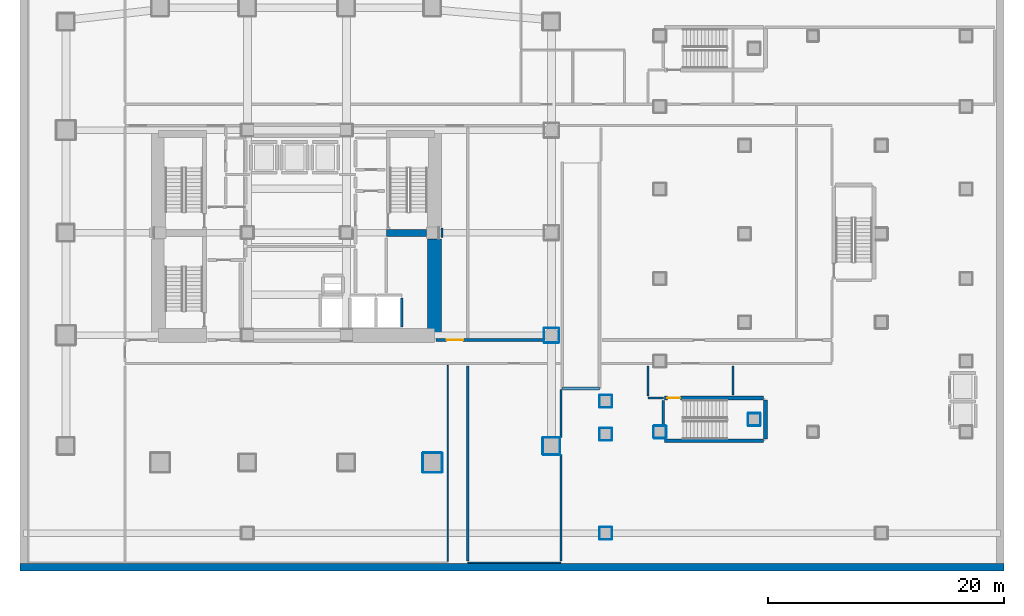
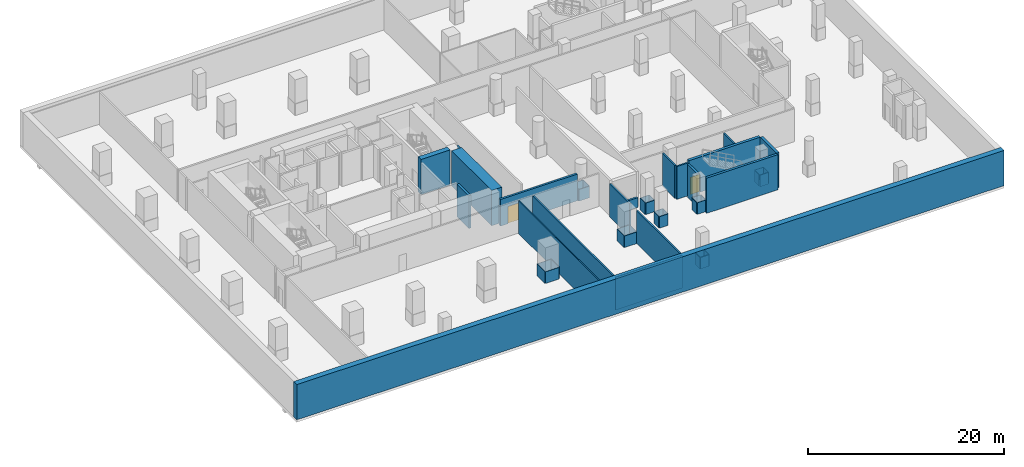
# One storey, part 5 of 15: 51 walls, 2 doors, 2 openings.
"""IFC4 building model written with IfcOpenShell, lengths in metres."""

from ifc_helpers import new_model, si_unit, direction, frame, frame_2d, origin, place, context, subcontext, project, spatial, rectangle, extrude, material, layer, layer_set, type_object, element, fill, save


model = new_model("IFC4")

# Units and contexts
model_context = context("Model", 3, precision=1e-05, world=origin(), true_north=direction((0.0, 1.0)))
body_context = subcontext(model_context, "Body", "Model", "MODEL_VIEW")
ifc_project = project(units=[si_unit("LENGTHUNIT", "METRE"), si_unit("AREAUNIT", "SQUARE_METRE"), si_unit("VOLUMEUNIT", "CUBIC_METRE"), si_unit("PLANEANGLEUNIT", "RADIAN"), si_unit("MASSUNIT", "GRAM", prefix="KILO")], contexts=[model_context])

# Site, building, storey
site_placement = place(None, origin())
site = spatial("IfcSite", under=ifc_project, at=site_placement, CompositionType="ELEMENT")
building_placement = place(site_placement, origin())
building = spatial("IfcBuilding", under=site, at=building_placement, Name="Solanera Arch Residences", CompositionType="ELEMENT")
storey_placement = place(building_placement, frame((0.0, 0.0, -8.800048828125)))
storey = spatial("IfcBuildingStorey", under=building, at=storey_placement, Name="B02", CompositionType="ELEMENT", Elevation=-8.800048828125)

# Walls
ifc_material_1 = material(Name="Fire-Rated Gypsum Stud Partition", Category="gypsum")
ifc_layer_1 = layer(ifc_material_1, 0.06005859375)
ifc_layer_set_1 = layer_set([ifc_layer_1], Name="Fire-Rated Gypsum Stud Partition")
wall_type_1 = type_object("IfcWallType", Name="Column Acoustic Furring Wall 60", PredefinedType="PARTITIONING", material=ifc_layer_set_1)
for number, where, z_axis, x_axis, name in (
    (1, (35.699951171875, 10.367919921875, 0.0), (0.0, 0.0, 1.0), (1.0, 0.0, 0.0), "B02 Column Furring 10S"),
    (2, (35.699951171875, 12.031982421875, 0.0), (0.0, 0.0, 1.0), (1.0, 0.0, 0.0), "B02 Column Furring 10N"),
    (3, (35.66796875, 10.39990234375, 0.0), (0.0, 0.0, 1.0), (0.0, 1.0, 0.0), "B02 Column Furring 10W"),
    (4, (37.33203125, 10.39990234375, 0.0), (0.0, 0.0, 1.0), (0.0, 1.0, 0.0), "B02 Column Furring 10E"),
):
    element("IfcWall", number, at=place(storey_placement, frame(where, z_axis=z_axis, x_axis=x_axis)), inside=storey, type_object=wall_type_1, Name=name, PredefinedType="PARTITIONING", context=body_context, shape_type="SweptSolid", body=[
        extrude(rectangle(XDim=1.60009765625, YDim=0.06005859375, at=frame_2d((0.800048828125, 0.0))), origin(), (0.0, 0.0, 1.0), 1.449951171875),
    ])
for number, where, z_axis, x_axis, name in (
    (5, (46.0, 21.367919921875, 0.0), (0.0, 0.0, 1.0), (1.0, 0.0, 0.0), "B02 Column Furring 18S"),
    (6, (46.0, 22.632080078125, 0.0), (0.0, 0.0, 1.0), (1.0, 0.0, 0.0), "B02 Column Furring 18N"),
):
    element("IfcWall", number, at=place(storey_placement, frame(where, z_axis=z_axis, x_axis=x_axis)), inside=storey, type_object=wall_type_1, Name=name, PredefinedType="PARTITIONING", context=body_context, shape_type="SweptSolid", body=[
        extrude(rectangle(XDim=1.199951171875, YDim=0.06005859375, at=frame_2d((0.60009765625, 0.0))), origin(), (0.0, 0.0, 1.0), 1.449951171875),
    ])
for number, where, z_axis, x_axis, name in (
    (7, (45.968017578125, 21.39990234375, 0.0), (0.0, 0.0, 1.0), (0.0, 1.0, 0.0), "B02 Column Furring 18W"),
    (8, (47.23193359375, 21.39990234375, 0.0), (0.0, 0.0, 1.0), (0.0, 1.0, 0.0), "B02 Column Furring 18E"),
):
    element("IfcWall", number, at=place(storey_placement, frame(where, z_axis=z_axis, x_axis=x_axis)), inside=storey, type_object=wall_type_1, Name=name, PredefinedType="PARTITIONING", context=body_context, shape_type="SweptSolid", body=[
        extrude(rectangle(XDim=1.2001953125, YDim=0.06005859375, at=frame_2d((0.60009765625, 0.0))), origin(), (0.0, 0.0, 1.0), 1.449951171875),
    ])
for number, where, z_axis, x_axis, name in (
    (9, (45.89990234375, 11.867919921875, 0.0), (0.0, 0.0, 1.0), (1.0, 0.0, 0.0), "B02 Column Furring 22S"),
    (10, (45.89990234375, 13.33203125, 0.0), (0.0, 0.0, 1.0), (1.0, 0.0, 0.0), "B02 Column Furring 22N"),
    (11, (45.867919921875, 11.89990234375, 0.0), (0.0, 0.0, 1.0), (0.0, 1.0, 0.0), "B02 Column Furring 22W"),
    (12, (47.33203125, 11.89990234375, 0.0), (0.0, 0.0, 1.0), (0.0, 1.0, 0.0), "B02 Column Furring 22E"),
):
    element("IfcWall", number, at=place(storey_placement, frame(where, z_axis=z_axis, x_axis=x_axis)), inside=storey, type_object=wall_type_1, Name=name, PredefinedType="PARTITIONING", context=body_context, shape_type="SweptSolid", body=[
        extrude(rectangle(XDim=1.400146484375, YDim=0.06005859375, at=frame_2d((0.7001953125, 0.0))), origin(), (0.0, 0.0, 1.0), 1.449951171875),
    ])
for number, where, z_axis, x_axis, name in (
    (13, (50.699951171875, 13.068115234375, 0.0), (0.0, 0.0, 1.0), (1.0, 0.0, 0.0), "B02 Column Furring 33S"),
    (14, (50.699951171875, 14.132080078125, 0.0), (0.0, 0.0, 1.0), (1.0, 0.0, 0.0), "B02 Column Furring 33N"),
    (15, (50.66796875, 13.10009765625, 0.0), (0.0, 0.0, 1.0), (0.0, 1.0, 0.0), "B02 Column Furring 33W"),
    (16, (51.73193359375, 13.10009765625, 0.0), (0.0, 0.0, 1.0), (0.0, 1.0, 0.0), "B02 Column Furring 33E"),
    (17, (50.699951171875, 15.867919921875, 0.0), (0.0, 0.0, 1.0), (1.0, 0.0, 0.0), "B02 Column Furring 34S"),
    (18, (50.699951171875, 16.931884765625, 0.0), (0.0, 0.0, 1.0), (1.0, 0.0, 0.0), "B02 Column Furring 34N"),
    (19, (50.66796875, 15.89990234375, 0.0), (0.0, 0.0, 1.0), (0.0, 1.0, 0.0), "B02 Column Furring 34W"),
    (20, (51.73193359375, 15.89990234375, 0.0), (0.0, 0.0, 1.0), (0.0, 1.0, 0.0), "B02 Column Furring 34E"),
    (21, (50.699951171875, 4.66796875, 0.0), (0.0, 0.0, 1.0), (1.0, 0.0, 0.0), "B02 Column Furring 36S"),
    (22, (50.699951171875, 5.73193359375, 0.0), (0.0, 0.0, 1.0), (1.0, 0.0, 0.0), "B02 Column Furring 36N"),
    (23, (50.66796875, 4.699951171875, 0.0), (0.0, 0.0, 1.0), (0.0, 1.0, 0.0), "B02 Column Furring 36W"),
    (24, (51.73193359375, 4.699951171875, 0.0), (0.0, 0.0, 1.0), (0.0, 1.0, 0.0), "B02 Column Furring 36E"),
    (25, (63.300048828125, 14.327880859375, 0.0), (0.0, 0.0, 1.0), (1.0, 0.0, 0.0), "B02 Column Furring 41S"),
    (26, (63.300048828125, 15.39208984375, 0.0), (0.0, 0.0, 1.0), (1.0, 0.0, 0.0), "B02 Column Furring 41N"),
    (27, (63.26806640625, 14.360107421875, 0.0), (0.0, 0.0, 1.0), (0.0, 1.0, 0.0), "B02 Column Furring 41W"),
    (28, (64.33203125, 14.360107421875, 0.0), (0.0, 0.0, 1.0), (0.0, 1.0, 0.0), "B02 Column Furring 41E"),
    (29, (55.300048828125, 13.26806640625, 0.0), (0.0, 0.0, 1.0), (1.0, 0.0, 0.0), "B02 Column Furring 43S"),
    (30, (55.300048828125, 14.33203125, 0.0), (0.0, 0.0, 1.0), (1.0, 0.0, 0.0), "B02 Column Furring 43N"),
    (31, (55.26806640625, 13.300048828125, 0.0), (0.0, 0.0, 1.0), (0.0, 1.0, 0.0), "B02 Column Furring 43W"),
    (32, (56.33203125, 13.300048828125, 0.0), (0.0, 0.0, 1.0), (0.0, 1.0, 0.0), "B02 Column Furring 43E"),
):
    element("IfcWall", number, at=place(storey_placement, frame(where, z_axis=z_axis, x_axis=x_axis)), inside=storey, type_object=wall_type_1, Name=name, PredefinedType="PARTITIONING", context=body_context, shape_type="SweptSolid", body=[
        extrude(rectangle(XDim=1.0, YDim=0.06005859375, at=frame_2d((0.5, 0.0))), origin(), (0.0, 0.0, 1.0), 1.449951171875),
    ])
ifc_material_2 = material(Name="Concrete C55/67 (f'c = 60 MPa)", Category="concrete")
ifc_layer_2 = layer(ifc_material_2, 1.199951171875)
ifc_layer_set_2 = layer_set([ifc_layer_2], Name="Concrete C55/67 (f'c = 60 MPa)")
wall_type_2 = type_object("IfcWallType", Name="Core Shear Wall CW-1200", PredefinedType="SHEAR", material=ifc_layer_set_2)
wall_1_placement = place(storey_placement, frame((36.659912109375, 22.0, 0.0), z_axis=(0.0, 0.0, 1.0), x_axis=(0.0, 1.0, 0.0)))
element("IfcWall", 33, at=wall_1_placement, inside=storey, type_object=wall_type_2, Name="B02 East Core South Shear Wall", PredefinedType="SHEAR", context=body_context, shape_type="SweptSolid", body=[
    extrude(rectangle(XDim=8.195068359375, YDim=1.199951171875, at=frame_2d((4.09765625, 0.0))), origin(), (0.0, 0.0, 1.0), 4.400146484375),
])
ifc_material_3 = material(Name="Concrete C40/50 (f'c = 45 MPa)", Category="concrete")
ifc_layer_3 = layer(ifc_material_3, 0.320068359375)
ifc_layer_set_3 = layer_set([ifc_layer_3], Name="Concrete C40/50 (f'c = 45 MPa)")
wall_type_3 = type_object("IfcWallType", Name="Core Shear Wall CW-320", PredefinedType="SHEAR", material=ifc_layer_set_3)
wall_2_placement = place(storey_placement, frame((64.760009765625, 13.199951171875, 0.0), z_axis=(0.0, 0.0, 1.0), x_axis=(0.0, 1.0, 0.0)))
element("IfcWall", 34, at=wall_2_placement, inside=storey, type_object=wall_type_3, Name="B02 Stair ST-H1 East Shear Wall", PredefinedType="SHEAR", context=body_context, shape_type="SweptSolid", body=[
    extrude(rectangle(XDim=3.320068359375, YDim=0.320068359375, at=frame_2d((1.66015625, 0.0))), origin(), (0.0, 0.0, 1.0), 4.400146484375),
])
wall_3_placement = place(storey_placement, frame((56.199951171875, 13.06005859375, 0.0), z_axis=(0.0, 0.0, 1.0), x_axis=(1.0, 0.0, 0.0)))
element("IfcWall", 35, at=wall_3_placement, inside=storey, type_object=wall_type_3, Name="B02 Stair ST-H1 South Shear Wall", PredefinedType="SHEAR", context=body_context, shape_type="SweptSolid", body=[
    extrude(rectangle(XDim=8.400146484375, YDim=0.280029296875, at=frame_2d((4.2001953125, 0.0))), origin(), (0.0, 0.0, 1.0), 4.400146484375),
])

# Wall, opening, door
wall_4_placement = place(storey_placement, frame((56.199951171875, 16.679931640625, 0.0), z_axis=(0.0, 0.0, 1.0), x_axis=(1.0, 0.0, 0.0)))
wall_4 = element("IfcWall", 36, at=wall_4_placement, inside=storey, type_object=wall_type_3, Name="B02 Stair ST-H1 North Shear Wall", PredefinedType="SHEAR", context=body_context, shape_type="SweptSolid", body=[
    extrude(rectangle(XDim=8.400146484375, YDim=0.320068359375, at=frame_2d((4.2001953125, 0.0))), origin(), (0.0, 0.0, 1.0), 4.400146484375),
])
opening_1_placement = place(wall_4_placement, frame((0.22998046875, 0.0, 0.0)))
opening_1 = element("IfcOpeningElement", 37, at=opening_1_placement, cuts=wall_4, Name="Opening DF-01", PredefinedType="OPENING", context=body_context, shape_type="SweptSolid", body=[
    extrude(rectangle(XDim=1.10009765625, YDim=2.14990234375, at=frame_2d((0.550048828125, 1.074951171875))), frame((0.0, 0.169921875, 0.0), z_axis=(0.0, -1.0, 0.0), x_axis=(1.0, 0.0, 0.0)), (0.0, 0.0, 1.0), 0.3401),
])
ifc_material_4 = material(Name="Fire-Rated Architectural Hardwood", Category="wood")
door_type_1 = type_object("IfcDoorType", Name="Stair Exit Fire Door DF-01", OperationType="NOTDEFINED", PredefinedType="DOOR", material=ifc_material_4)
door_1_placement = place(opening_1_placement, origin())
door_1 = element("IfcDoor", 38, at=door_1_placement, inside=storey, type_object=door_type_1, Name="DR-B02-STAIR-ST-H1", OperationType="SINGLE_SWING_LEFT", OverallHeight=2.14990234375, OverallWidth=1.10009765625, PredefinedType="DOOR", context=body_context, shape_type="SweptSolid", body=[
    extrude(rectangle(XDim=1.10009765625, YDim=2.14990234375, at=frame_2d((0.550048828125, 1.074951171875))), frame((0.0, 0.02490234375, 0.0), z_axis=(0.0, -1.0, 0.0), x_axis=(1.0, 0.0, 0.0)), (0.0, 0.0, 1.0), 0.050048828125),
])
fill(opening_1, door_1)

# Walls
ifc_material_5 = material(Name="Concrete C40/50 (f'c = 45 MPa)", Category="concrete")
ifc_layer_4 = layer(ifc_material_5, 0.60009765625)
ifc_layer_set_4 = layer_set([ifc_layer_4], Name="Concrete C40/50 (f'c = 45 MPa)")
wall_type_4 = type_object("IfcWallType", Name="Core Shear Wall CW-600", PredefinedType="SHEAR", material=ifc_layer_set_4)
wall_5_placement = place(storey_placement, frame((32.580078125, 30.699951171875, 0.0), z_axis=(0.0, 0.0, 1.0), x_axis=(1.0, 0.0, 0.0)))
element("IfcWall", 39, at=wall_5_placement, inside=storey, type_object=wall_type_4, Name="B02 East Stair Far-Landing Shear Wall", PredefinedType="SHEAR", context=body_context, shape_type="SweptSolid", body=[
    extrude(rectangle(XDim=3.4150390625, YDim=0.60009765625, at=frame_2d((1.70751953125, 0.0))), origin(), (0.0, 0.0, 1.0), 4.400146484375),
])
ifc_material_6 = material(Name="Autoclaved Aerated Concrete Blockwork", Category="masonry")
ifc_layer_5 = layer(ifc_material_6, 0.179931640625)
ifc_layer_set_5 = layer_set([ifc_layer_5], Name="Autoclaved Aerated Concrete Blockwork")
wall_type_5 = type_object("IfcWallType", Name="Corridor Fire Partition 180", PredefinedType="PARTITIONING", material=ifc_layer_set_5)
wall_6_placement = place(storey_placement, frame((54.800048828125, 16.679931640625, 0.0), z_axis=(0.0, 0.0, 1.0), x_axis=(1.0, 0.0, 0.0)))
element("IfcWall", 40, at=wall_6_placement, inside=storey, type_object=wall_type_5, Name="B02 Interior Partition H10", PredefinedType="PARTITIONING", context=body_context, shape_type="SweptSolid", body=[
    extrude(rectangle(XDim=1.300048828125, YDim=0.179931640625, at=frame_2d((0.64990234375, 0.0))), origin(), (0.0, 0.0, 1.0), 4.10009765625),
])
wall_7_placement = place(storey_placement, frame((37.300048828125, 30.287109375, 0.0), z_axis=(0.0, 0.0, 1.0), x_axis=(0.0, 1.0, 0.0)))
element("IfcWall", 41, at=wall_7_placement, inside=storey, type_object=wall_type_5, Name="B02 Interior Partition V12", PredefinedType="PARTITIONING", context=body_context, shape_type="SweptSolid", body=[
    extrude(rectangle(XDim=0.825927734375, YDim=0.179931640625, at=frame_2d((0.4130859375, 0.0))), origin(), (0.0, 0.0, 1.0), 4.10009765625),
])
wall_8_placement = place(storey_placement, frame((39.5, 2.85791015625, 0.0), z_axis=(0.0, 0.0, 1.0), x_axis=(0.0, 1.0, 0.0)))
element("IfcWall", 42, at=wall_8_placement, inside=storey, type_object=wall_type_5, Name="B02 Interior Partition V13", PredefinedType="PARTITIONING", context=body_context, shape_type="SweptSolid", body=[
    extrude(rectangle(XDim=16.55419921875, YDim=0.179931640625, at=frame_2d((8.277099609375, 0.0))), origin(), (0.0, 0.0, 1.0), 4.10009765625),
])
wall_9_placement = place(storey_placement, frame((47.39990234375, 2.85791015625, 0.0), z_axis=(0.0, 0.0, 1.0), x_axis=(0.0, 1.0, 0.0)))
element("IfcWall", 43, at=wall_9_placement, inside=storey, type_object=wall_type_5, Name="B02 Interior Partition V15 1", PredefinedType="PARTITIONING", context=body_context, shape_type="SweptSolid", body=[
    extrude(rectangle(XDim=9.02197265625, YDim=0.179931640625, at=frame_2d((4.510986328125, 0.0))), origin(), (0.0, 0.0, 1.0), 4.10009765625),
])
wall_10_placement = place(storey_placement, frame((47.39990234375, 13.320068359375, 0.0), z_axis=(0.0, 0.0, 1.0), x_axis=(0.0, 1.0, 0.0)))
element("IfcWall", 44, at=wall_10_placement, inside=storey, type_object=wall_type_5, Name="B02 Interior Partition V15 2", PredefinedType="PARTITIONING", context=body_context, shape_type="SweptSolid", body=[
    extrude(rectangle(XDim=4.08203125, YDim=0.179931640625, at=frame_2d((2.041015625, 0.0))), origin(), (0.0, 0.0, 1.0), 4.10009765625),
])
wall_11_placement = place(storey_placement, frame((54.800048828125, 16.867919921875, 0.0), z_axis=(0.0, 0.0, 1.0), x_axis=(0.0, 1.0, 0.0)))
element("IfcWall", 45, at=wall_11_placement, inside=storey, type_object=wall_type_5, Name="B02 Interior Partition V17", PredefinedType="PARTITIONING", context=body_context, shape_type="SweptSolid", body=[
    extrude(rectangle(XDim=2.544189453125, YDim=0.179931640625, at=frame_2d((1.27197265625, 0.0))), origin(), (0.0, 0.0, 1.0), 4.10009765625),
])
ifc_material_7 = material(Name="Precast Concrete C35/45", Category="concrete")
ifc_layer_6 = layer(ifc_material_7, 0.239990234375)
ifc_layer_set_6 = layer_set([ifc_layer_6], Name="Precast Concrete C35/45")
wall_type_6 = type_object("IfcWallType", Name="Parapet Wall Precast 240", PredefinedType="PARAPET", material=ifc_layer_set_6)
wall_12_placement = place(storey_placement, frame((47.52001953125, 17.5, 0.0), z_axis=(0.0, 0.0, 1.0), x_axis=(1.0, 0.0, 0.0)))
element("IfcWall", 46, at=wall_12_placement, inside=storey, type_object=wall_type_6, Name="B02 Vehicle Ramp South Guard Wall", PredefinedType="PARAPET", context=body_context, shape_type="SweptSolid", body=[
    extrude(rectangle(XDim=3.159912109375, YDim=0.239990234375, at=frame_2d((1.580078125, 0.0))), origin(), (0.0, 0.0, 1.0), 1.199951171875),
])
ifc_material_8 = material(Name="Autoclaved Aerated Concrete Blockwork", Category="masonry")
ifc_layer_7 = layer(ifc_material_8, 0.199951171875)
ifc_layer_set_7 = layer_set([ifc_layer_7], Name="Autoclaved Aerated Concrete Blockwork")
wall_type_7 = type_object("IfcWallType", Name="Party Wall Acoustic 200", PredefinedType="PARTITIONING", material=ifc_layer_set_7)
wall_13_placement = place(storey_placement, frame((62.0, 16.949951171875, 0.0), z_axis=(0.0, 0.0, 1.0), x_axis=(0.0, 1.0, 0.0)))
element("IfcWall", 47, at=wall_13_placement, inside=storey, type_object=wall_type_7, Name="B02 Interior Partition V7", PredefinedType="PARTITIONING", context=body_context, shape_type="SweptSolid", body=[
    extrude(rectangle(XDim=2.4521484375, YDim=0.199951171875, at=frame_2d((1.22607421875, 0.0))), origin(), (0.0, 0.0, 1.0), 4.10009765625),
])
ifc_material_9 = material(Name="Autoclaved Aerated Concrete Blockwork", Category="masonry")
ifc_layer_8 = layer(ifc_material_9, 0.239990234375)
ifc_layer_set_8 = layer_set([ifc_layer_8], Name="Autoclaved Aerated Concrete Blockwork")
wall_type_8 = type_object("IfcWallType", Name="Shaft Wall Fire-Rated 240", PredefinedType="PARTITIONING", material=ifc_layer_set_8)
wall_14_placement = place(storey_placement, frame((56.080078125, 14.431884765625, 0.0), z_axis=(0.0, 0.0, 1.0), x_axis=(0.0, 1.0, 0.0)))
element("IfcWall", 48, at=wall_14_placement, inside=storey, type_object=wall_type_8, Name="B02 Stair ST-H1 West Wall", PredefinedType="PARTITIONING", context=body_context, shape_type="SweptSolid", body=[
    extrude(rectangle(XDim=2.0380859375, YDim=0.239990234375, at=frame_2d((1.01904296875, 0.0))), origin(), (0.0, 0.0, 1.0), 4.10009765625),
])
wall_15_placement = place(storey_placement, frame((33.89990234375, 22.72998046875, 0.0), z_axis=(0.0, 0.0, 1.0), x_axis=(0.0, 1.0, 0.0)))
element("IfcWall", 49, at=wall_15_placement, inside=storey, type_object=wall_type_8, Name="B02 Lift FFL-2 Hoistway Wall E", PredefinedType="PARTITIONING", context=body_context, shape_type="SweptSolid", body=[
    extrude(rectangle(XDim=2.422119140625, YDim=0.239990234375, at=frame_2d((1.2109375, 0.0))), origin(), (0.0, 0.0, 1.0), 4.10009765625),
])

# Wall, opening, door
wall_16_placement = place(storey_placement, frame((36.7900390625, 21.60009765625, 0.0), z_axis=(0.0, 0.0, 1.0), x_axis=(1.0, 0.0, 0.0)))
wall_16 = element("IfcWall", 50, at=wall_16_placement, inside=storey, type_object=wall_type_8, Name="B02 Interior Partition H1 3", PredefinedType="PARTITIONING", context=body_context, shape_type="SweptSolid", body=[
    extrude(rectangle(XDim=9.077880859375, YDim=0.239990234375, at=frame_2d((4.5390625, 0.0))), origin(), (0.0, 0.0, 1.0), 3.3349609375),
])
opening_2_placement = place(wall_16_placement, frame((0.909912109375, 0.0, 0.0)))
opening_2 = element("IfcOpeningElement", 51, at=opening_2_placement, cuts=wall_16, Name="Opening DF-03", PredefinedType="OPENING", context=body_context, shape_type="SweptSolid", body=[
    extrude(rectangle(XDim=1.39990234375, YDim=2.14990234375, at=frame_2d((0.699951171875, 1.074951171875))), frame((0.0, 0.1298828125, 0.0), z_axis=(0.0, -1.0, 0.0), x_axis=(1.0, 0.0, 0.0)), (0.0, 0.0, 1.0), 0.26),
])
ifc_material_10 = material(Name="Fire-Rated Architectural Hardwood", Category="wood")
door_type_2 = type_object("IfcDoorType", Name="Corridor Smoke Door DF-03", OperationType="NOTDEFINED", PredefinedType="DOOR", material=ifc_material_10)
door_2_placement = place(opening_2_placement, origin())
door_2 = element("IfcDoor", 52, at=door_2_placement, inside=storey, type_object=door_type_2, Name="DR-B02-IN-016", OperationType="SINGLE_SWING_LEFT", OverallHeight=2.14990234375, OverallWidth=1.39990234375, PredefinedType="DOOR", context=body_context, shape_type="SweptSolid", body=[
    extrude(rectangle(XDim=1.39990234375, YDim=2.14990234375, at=frame_2d((0.699951171875, 1.074951171875))), frame((0.0, 0.02490234375, 0.0), z_axis=(0.0, -1.0, 0.0), x_axis=(1.0, 0.0, 0.0)), (0.0, 0.0, 1.0), 0.050048828125),
])
fill(opening_2, door_2)

# Walls
ifc_material_11 = material(Name="Concrete C40/50 (f'c = 45 MPa)", Category="concrete")
ifc_layer_9 = layer(ifc_material_11, 0.64990234375)
ifc_layer_set_9 = layer_set([ifc_layer_9], Name="Concrete C40/50 (f'c = 45 MPa)")
wall_type_9 = type_object("IfcWallType", Name="Solid Exterior Wall Substructure 650", PredefinedType="SOLIDWALL", material=ifc_layer_set_9)
wall_17_placement = place(storey_placement, frame((1.5, 2.324951171875, 0.0), z_axis=(0.0, 0.0, 1.0), x_axis=(1.0, 0.0, 0.0)))
element("IfcWall", 53, at=wall_17_placement, inside=storey, type_object=wall_type_9, Name="B02 South Basement Retaining Wall", PredefinedType="SOLIDWALL", context=body_context, shape_type="SweptSolid", body=[
    extrude(rectangle(XDim=83.5, YDim=0.64990234375, at=frame_2d((41.75, 0.0))), origin(), (0.0, 0.0, 1.0), 4.400146484375),
])
ifc_material_12 = material(Name="Fire-Rated Gypsum Stud Partition", Category="gypsum")
ifc_layer_10 = layer(ifc_material_12, 0.1201171875)
ifc_layer_set_10 = layer_set([ifc_layer_10], Name="Fire-Rated Gypsum Stud Partition")
wall_type_10 = type_object("IfcWallType", Name="Unit Drywall Partition 120", PredefinedType="PARTITIONING", material=ifc_layer_set_10)
wall_18_placement = place(storey_placement, frame((39.5, 2.699951171875, 0.0), z_axis=(0.0, 0.0, 1.0), x_axis=(1.0, 0.0, 0.0)))
element("IfcWall", 54, at=wall_18_placement, inside=storey, type_object=wall_type_10, Name="B02 Interior Partition H21", PredefinedType="PARTITIONING", context=body_context, shape_type="SweptSolid", body=[
    extrude(rectangle(XDim=7.89990234375, YDim=0.1201171875, at=frame_2d((3.949951171875, 0.0))), origin(), (0.0, 0.0, 1.0), 4.10009765625),
])
wall_19_placement = place(storey_placement, frame((37.800048828125, 2.827880859375, 0.0), z_axis=(0.0, 0.0, 1.0), x_axis=(0.0, 1.0, 0.0)))
element("IfcWall", 55, at=wall_19_placement, inside=storey, type_object=wall_type_10, Name="B02 Interior Partition V25", PredefinedType="PARTITIONING", context=body_context, shape_type="SweptSolid", body=[
    extrude(rectangle(XDim=16.614013671875, YDim=0.1201171875, at=frame_2d((8.30712890625, 0.0))), origin(), (0.0, 0.0, 1.0), 4.10009765625),
])

save(model, "model.ifc")
